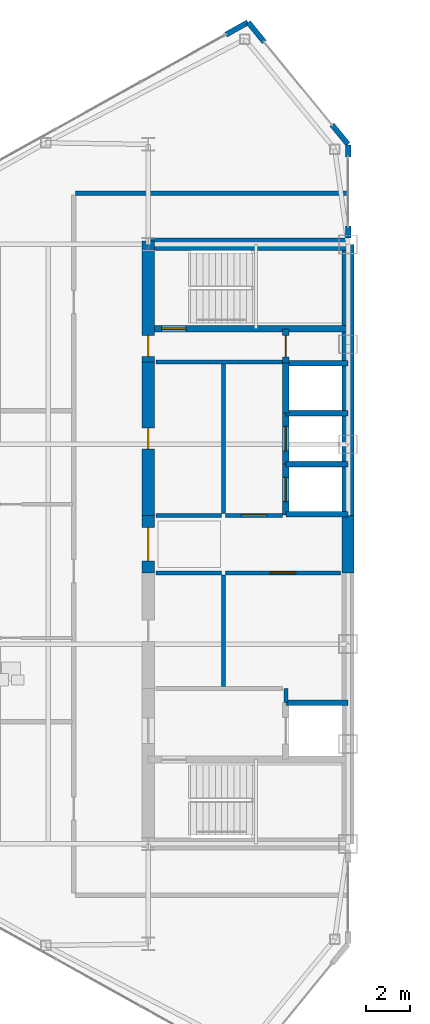
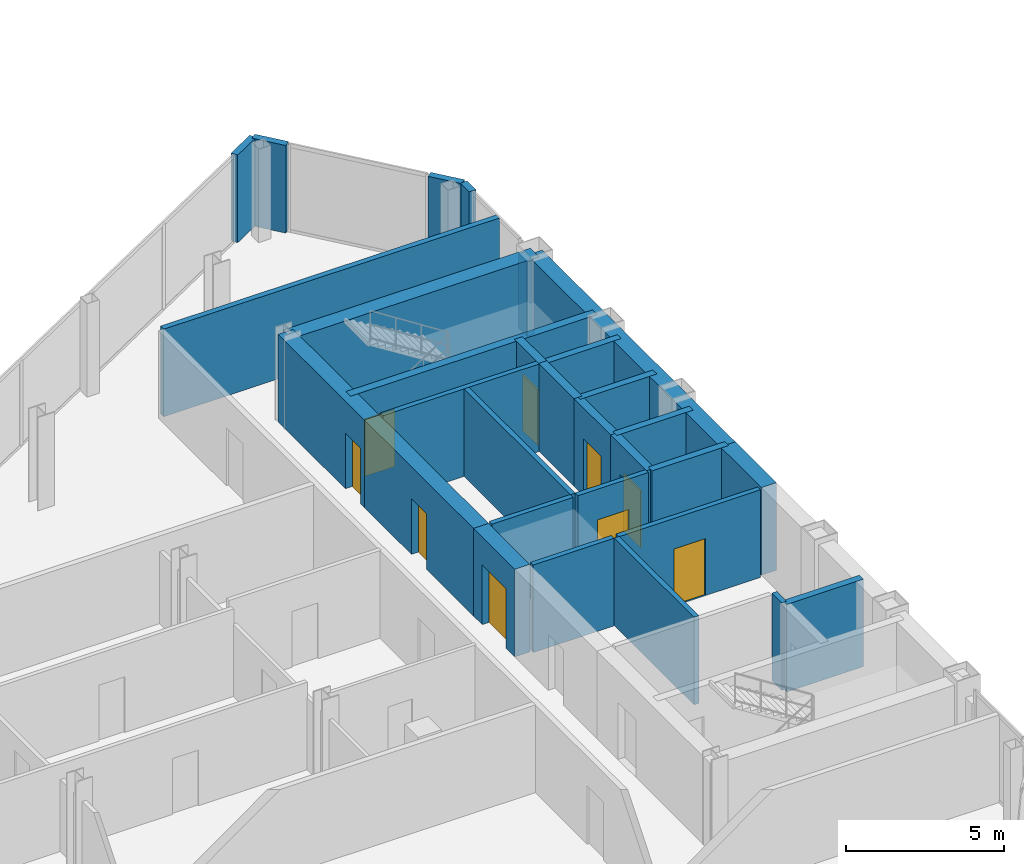
# One storey, part 20 of 26: 30 walls, 9 doors, 9 openings.
"""IFC4 building model written with IfcOpenShell, lengths in metres."""

import ifcopenshell
import ifcopenshell.guid

model = None  # the IFC model being written
_history = None  # IfcOwnerHistory: only IFC2X3 demands one
_inside = {}  # id of a spatial element -> (the spatial element, [elements in it])
_under = {}  # id of a project, library or spatial element -> (it, [spatial elements below it])
_declared = {}  # id of a project -> (the project, [libraries it declares])
_typed = {}  # id of a type object -> (the type object, [elements of that type])
_made_of = {}  # id of a material, layer set ... -> (it, [elements and type objects made of it])


def new_model(schema):
    """Start an empty IFC model of exactly this schema.

    Asked for "IFC4X3", IfcOpenShell would pick the latest addendum, in which some entities
    have other attributes; the version numbers below select the first issue.
    IFC2X3 requires an IfcOwnerHistory on every rooted entity: one is made here for all.
    """
    global model, _history
    if schema == "IFC4X3":
        model = ifcopenshell.file(schema_version=(4, 3, 0, 0))
    else:
        model = ifcopenshell.file(schema=schema)
    _inside.clear()
    _under.clear()
    _declared.clear()
    _typed.clear()
    _made_of.clear()
    _history = None
    if model.schema == "IFC2X3":
        org = make("IfcOrganization", Name="unknown")
        user = make(
            "IfcPersonAndOrganization",
            ThePerson=make("IfcPerson", FamilyName="unknown"),
            TheOrganization=org,
        )
        app = make(
            "IfcApplication",
            ApplicationDeveloper=org,
            Version="unknown",
            ApplicationFullName="unknown",
            ApplicationIdentifier="unknown",
        )
        _history = make(
            "IfcOwnerHistory",
            OwningUser=user,
            OwningApplication=app,
            ChangeAction="ADDED",
            CreationDate=0,
        )
    return model


def make(cls, **values):
    """One entity of the class cls with the attributes given. An attribute that is None is left unset."""
    return model.create_entity(
        cls, **{name: value for name, value in values.items() if value is not None}
    )


def rooted(cls, **values):
    """An entity with a GlobalId (a new one), such as an element, a storey or a relation."""
    return make(cls, GlobalId=ifcopenshell.guid.new(), OwnerHistory=_history, **values)


def si_unit(unit_type, name, prefix=None):
    """IfcSIUnit, for example si_unit("LENGTHUNIT", "METRE", prefix="MILLI")."""
    return make("IfcSIUnit", UnitType=unit_type, Prefix=prefix, Name=name)


def assignment(units):
    """IfcUnitAssignment: the units of a project."""
    return None if units is None else make("IfcUnitAssignment", Units=units)


def point(xyz):
    """IfcCartesianPoint."""
    return None if xyz is None else make("IfcCartesianPoint", Coordinates=xyz)


def direction(xyz):
    """IfcDirection."""
    return None if xyz is None else make("IfcDirection", DirectionRatios=xyz)


def frame(location, z_axis=None, x_axis=None):
    """IfcAxis2Placement3D, a coordinate frame: its origin and axes. An axis left out is left unset."""
    return make(
        "IfcAxis2Placement3D",
        Location=point(location),
        Axis=direction(z_axis),
        RefDirection=direction(x_axis),
    )


def frame_2d(location, x_axis=None):
    """IfcAxis2Placement2D, a coordinate frame in the plane: its origin and x axis."""
    return make(
        "IfcAxis2Placement2D", Location=point(location), RefDirection=direction(x_axis)
    )


def origin():
    """The frame at (0, 0, 0) with its axes left unset."""
    return frame((0.0, 0.0, 0.0))


def place(relative_to, where):
    """IfcLocalPlacement: puts the frame where relative to a parent placement (None: the world)."""
    return make(
        "IfcLocalPlacement", PlacementRelTo=relative_to, RelativePlacement=where
    )


def context(
    kind, dimensions, precision=None, world=None, true_north=None, identifier=None
):
    """IfcGeometricRepresentationContext, for example the 3D "Model" context."""
    return make(
        "IfcGeometricRepresentationContext",
        ContextIdentifier=identifier,
        ContextType=kind,
        CoordinateSpaceDimension=dimensions,
        Precision=precision,
        WorldCoordinateSystem=world,
        TrueNorth=true_north,
    )


def subcontext(parent, identifier, kind, view, scale=None):
    """IfcGeometricRepresentationSubContext, for example "Body" below "Model"."""
    return make(
        "IfcGeometricRepresentationSubContext",
        ContextIdentifier=identifier,
        ContextType=kind,
        ParentContext=parent,
        TargetScale=scale,
        TargetView=view,
    )


def project(units=None, contexts=None):
    """IfcProject with its units and contexts."""
    return rooted(
        "IfcProject",
        Name="project",
        RepresentationContexts=contexts,
        UnitsInContext=assignment(units),
    )


def spatial(cls, under=None, at=None, **own):
    """A site, building, storey or space (cls), placed at a placement, below another one or the project."""
    s = rooted(cls, ObjectPlacement=at, **own)
    if under is not None:
        _under.setdefault(under.id(), (under, []))[1].append(s)
    return s


def profile(cls, at=None, kind="AREA", **sizes):
    """A parametric profile (cls). Its sizes go by their IFC names, for example OverallWidth=200.0."""
    return make(cls, ProfileType=kind, Position=at, **sizes)


def rectangle(**sizes):
    """IfcRectangleProfileDef."""
    return profile("IfcRectangleProfileDef", **sizes)


def extrude(swept, where, along, depth):
    """IfcExtrudedAreaSolid: the profile swept, set in the frame where, extruded along a direction by depth."""
    return make(
        "IfcExtrudedAreaSolid",
        SweptArea=swept,
        Position=where,
        ExtrudedDirection=direction(along),
        Depth=depth,
    )


def shape(context_of_items, identifier, shape_type, items):
    """IfcShapeRepresentation: the items that make up one representation, for example the "Body"."""
    return make(
        "IfcShapeRepresentation",
        ContextOfItems=context_of_items,
        RepresentationIdentifier=identifier,
        RepresentationType=shape_type,
        Items=items,
    )


def source(mapping_origin, context_of_items, identifier, shape_type, items):
    """IfcRepresentationMap: a shape defined once, which mapped items show again and again."""
    return make(
        "IfcRepresentationMap",
        MappingOrigin=mapping_origin,
        MappedRepresentation=shape(context_of_items, identifier, shape_type, items),
    )


def transform(
    local_origin,
    x_axis=None,
    y_axis=None,
    z_axis=None,
    scale=None,
    scale2=None,
    scale3=None,
    uniform=True,
):
    """IfcCartesianTransformationOperator3D, or its non-uniform kind. x_axis, y_axis, z_axis: its Axis1, 2, 3."""
    if uniform:
        return make(
            "IfcCartesianTransformationOperator3D",
            Axis1=direction(x_axis),
            Axis2=direction(y_axis),
            LocalOrigin=point(local_origin),
            Scale=scale,
            Axis3=direction(z_axis),
        )
    return make(
        "IfcCartesianTransformationOperator3DnonUniform",
        Axis1=direction(x_axis),
        Axis2=direction(y_axis),
        LocalOrigin=point(local_origin),
        Scale=scale,
        Axis3=direction(z_axis),
        Scale2=scale2,
        Scale3=scale3,
    )


def mapped(mapping_source, mapping_target):
    """IfcMappedItem: shows the shape of a source again, moved by a transform."""
    return make(
        "IfcMappedItem", MappingSource=mapping_source, MappingTarget=mapping_target
    )


def material(Name=None, Category=None):
    """IfcMaterial."""
    return make("IfcMaterial", Name=Name, Category=Category)


def layer(
    of_material, thickness, ventilated=None, Name=None, Category=None, Priority=None
):
    """IfcMaterialLayer: one layer of a wall or slab, of a material (None: an air gap)."""
    return make(
        "IfcMaterialLayer",
        Material=of_material,
        LayerThickness=thickness,
        IsVentilated=ventilated,
        Name=Name,
        Category=Category,
        Priority=Priority,
    )


def layer_set(layers, Name=None):
    """IfcMaterialLayerSet."""
    return make("IfcMaterialLayerSet", MaterialLayers=layers, LayerSetName=Name)


def made_of(thing, what):
    """Note that an element or type object is made of a material, layer set ...; save() writes the relation."""
    if what is not None:
        _made_of.setdefault(what.id(), (what, []))[1].append(thing)
    return thing


def type_object(cls, material=None, **own):
    """A type object (cls), such as IfcWallType, which elements share."""
    return made_of(rooted(cls, **own), material)


def type_shapes(of_type, sources):
    """Give a type object the sources (RepresentationMaps) that its elements show as mapped items."""
    of_type.RepresentationMaps = sources


def element(
    cls,
    number,
    at=None,
    inside=None,
    cuts=None,
    type_object=None,
    material=None,
    context=None,
    identifier="Body",
    shape_type=None,
    held_by="IfcProductDefinitionShape",
    body=None,
    shapes=None,
    **own,
):
    """One element of the class cls, such as IfcWall. Its Tag is "e" and its number.

    at: its placement. inside: the storey or other place that contains it. cuts: it is an
    opening in that element (IfcRelVoidsElement). A single representation is given by context,
    identifier, shape_type and body (its items); several are given by shapes. held_by: the class
    of the entity that holds the representations. save() writes the other relations.
    """
    e = rooted(cls, Tag="e%d" % number, ObjectPlacement=at, **own)
    if body is not None:
        shapes = [shape(context, identifier, shape_type, body)]
    if shapes is not None:
        e.Representation = make(held_by, Representations=shapes)
    if inside is not None:
        _inside.setdefault(inside.id(), (inside, []))[1].append(e)
    if cuts is not None:
        rooted(
            "IfcRelVoidsElement", RelatingBuildingElement=cuts, RelatedOpeningElement=e
        )
    if type_object is not None:
        _typed.setdefault(type_object.id(), (type_object, []))[1].append(e)
    return made_of(e, material)


def fill(opening, filler):
    """IfcRelFillsElement: the door or window that sits in an opening."""
    return rooted(
        "IfcRelFillsElement",
        RelatingOpeningElement=opening,
        RelatedBuildingElement=filler,
    )


def aggregate(whole, parts):
    """IfcRelAggregates: a whole, such as a stair, and the parts it consists of."""
    return rooted("IfcRelAggregates", RelatingObject=whole, RelatedObjects=parts)


def save(model, path):
    """Write the relations noted so far, then the file.

    IfcRelAggregates (storeys below a building ...), IfcRelContainedInSpatialStructure (elements
    in a storey), IfcRelDefinesByType, IfcRelAssociatesMaterial and IfcRelDeclares: one each for
    every whole, place, type object, material and project.
    """
    for whole, parts in _under.values():
        aggregate(whole, parts)
    for where, things in _inside.values():
        rooted(
            "IfcRelContainedInSpatialStructure",
            RelatedElements=things,
            RelatingStructure=where,
        )
    for kind, things in _typed.values():
        rooted("IfcRelDefinesByType", RelatedObjects=things, RelatingType=kind)
    for what, things in _made_of.values():
        rooted("IfcRelAssociatesMaterial", RelatedObjects=things, RelatingMaterial=what)
    for by, libraries in _declared.values():
        rooted("IfcRelDeclares", RelatingContext=by, RelatedDefinitions=libraries)
    model.write(path)


model = new_model("IFC4")

# Units and contexts
model_context = context("Model", 3, precision=1e-05, world=origin(), true_north=direction((0.0, 1.0)))
body_context = subcontext(model_context, "Body", "Model", "MODEL_VIEW")
ifc_project = project(units=[si_unit("LENGTHUNIT", "METRE"), si_unit("AREAUNIT", "SQUARE_METRE"), si_unit("VOLUMEUNIT", "CUBIC_METRE"), si_unit("PLANEANGLEUNIT", "RADIAN"), si_unit("MASSUNIT", "GRAM", prefix="KILO")], contexts=[model_context])

# Site, building, storey
site_placement = place(None, origin())
site = spatial("IfcSite", under=ifc_project, at=site_placement, CompositionType="ELEMENT")
building_placement = place(site_placement, origin())
building = spatial("IfcBuilding", under=site, at=building_placement, Name="Seokmaru Belvedere", CompositionType="ELEMENT")
storey_placement = place(building_placement, frame((0.0, 0.0, 174.300048828125)))
storey = spatial("IfcBuildingStorey", under=building, at=storey_placement, Name="L46", CompositionType="ELEMENT", Elevation=174.300048828125)

# Walls
ifc_material_1 = material(Name="Fire-Rated Gypsum Shaftwall")
ifc_layer_1 = layer(ifc_material_1, 0.179931640625)
ifc_layer_set_1 = layer_set([ifc_layer_1], Name="Fire-Rated Gypsum Shaftwall")
wall_type_1 = type_object("IfcWallType", Name="Core Service Fire Partition 180", PredefinedType="PARTITIONING", material=ifc_layer_set_1)
wall_1_placement = place(storey_placement, frame((-30.300048828125, -7.1201171875, 0.0), z_axis=(0.0, 0.0, 1.0), x_axis=(0.0, 1.0, 0.0)))
element("IfcWall", 1, at=wall_1_placement, inside=storey, type_object=wall_type_1, Name="L46 West Firefighting Lobby East Closure Wall", PredefinedType="PARTITIONING", context=body_context, shape_type="SweptSolid", body=[
    extrude(rectangle(XDim=0.6201171875, YDim=0.179931640625, at=frame_2d((0.31005859375, 0.0))), origin(), (0.0, 0.0, 1.0), 3.3798828125),
])
wall_2_placement = place(storey_placement, frame((-36.14990234375, 8.199951171875, 0.0), z_axis=(0.0, 0.0, 1.0), x_axis=(1.0, 0.0, 0.0)))
element("IfcWall", 2, at=wall_2_placement, inside=storey, type_object=wall_type_1, Name="L46 West Smokeproof Vestibule Partition", PredefinedType="PARTITIONING", context=body_context, shape_type="SweptSolid", body=[
    extrude(rectangle(XDim=5.699951171875, YDim=0.179931640625, at=frame_2d((2.85009765625, 0.0))), origin(), (0.0, 0.0, 1.0), 3.3798828125),
])
wall_3_placement = place(storey_placement, frame((-33.10009765625, -6.419921875, 0.0), z_axis=(0.0, 0.0, 1.0), x_axis=(0.0, 1.0, 0.0)))
element("IfcWall", 3, at=wall_3_placement, inside=storey, type_object=wall_type_1, Name="L46 West South Core Service Back Wall", PredefinedType="PARTITIONING", context=body_context, shape_type="SweptSolid", body=[
    extrude(rectangle(XDim=5.0400390625, YDim=0.179931640625, at=frame_2d((2.52001953125, 0.0))), origin(), (0.0, 0.0, 1.0), 3.3798828125),
])
wall_4_placement = place(storey_placement, frame((-33.10009765625, 1.3798828125, 0.0), z_axis=(0.0, 0.0, 1.0), x_axis=(0.0, 1.0, 0.0)))
element("IfcWall", 4, at=wall_4_placement, inside=storey, type_object=wall_type_1, Name="L46 West North Core Service Back Wall", PredefinedType="PARTITIONING", context=body_context, shape_type="SweptSolid", body=[
    extrude(rectangle(XDim=6.740234375, YDim=0.179931640625, at=frame_2d((3.3701171875, 0.0))), origin(), (0.0, 0.0, 1.0), 3.3798828125),
])

# Wall, opening, door
wall_5_placement = place(storey_placement, frame((-33.02001953125, -1.300048828125, 0.0), z_axis=(0.0, 0.0, 1.0), x_axis=(1.0, 0.0, 0.0)))
wall_5 = element("IfcWall", 5, at=wall_5_placement, inside=storey, type_object=wall_type_1, Name="L46 West South Lift Lobby Foyer Wall", PredefinedType="PARTITIONING", context=body_context, shape_type="SweptSolid", body=[
    extrude(rectangle(XDim=5.169921875, YDim=0.179931640625, at=frame_2d((2.5849609375, 0.0))), origin(), (0.0, 0.0, 1.0), 3.3798828125),
])
opening_1_placement = place(wall_5_placement, frame((2.010009765625, 0.0, 0.0)))
opening_1 = element("IfcOpeningElement", 6, at=opening_1_placement, cuts=wall_5, Name="Opening D02", PredefinedType="OPENING", context=body_context, shape_type="SweptSolid", body=[
    extrude(rectangle(XDim=1.14990234375, YDim=2.199951171875, at=frame_2d((0.574951171875, 1.10009765625))), frame((0.0, 0.10009765625, 0.0), z_axis=(0.0, -1.0, 0.0), x_axis=(1.0, 0.0, 0.0)), (0.0, 0.0, 1.0), 0.199951171875),
])
ifc_material_2 = material(Name="Fire-Rated Steel Leaf", Category="steel")
door_type_1 = type_object("IfcDoorType", Name="Lobby and Vestibule Fire Door 1150x2200", OperationType="NOTDEFINED", PredefinedType="DOOR", material=ifc_material_2)
shared_shape_1 = source(origin(), body_context, "Body", "SweptSolid", [
    extrude(rectangle(XDim=1.14990234375, YDim=2.199951171875, at=frame_2d((0.574951171875, 1.10009765625))), frame((0.0, 0.02490234375, 0.0), z_axis=(0.0, -1.0, 0.0), x_axis=(1.0, 0.0, 0.0)), (0.0, 0.0, 1.0), 0.050048828125),
])
type_shapes(door_type_1, [shared_shape_1])
door_1_placement = place(opening_1_placement, origin())
door_1 = element("IfcDoor", 7, at=door_1_placement, inside=storey, type_object=door_type_1, Name="L46 West South Core Foyer Door", OperationType="SINGLE_SWING_LEFT", OverallHeight=2.199951171875, OverallWidth=1.14990234375, PredefinedType="DOOR", context=body_context, shape_type="MappedRepresentation", body=[
    mapped(shared_shape_1, transform((0.0, 0.0, 0.0), scale=1.0)),
])
fill(opening_1, door_1)

wall_6_placement = place(storey_placement, frame((-33.02001953125, 1.300048828125, 0.0), z_axis=(0.0, 0.0, 1.0), x_axis=(1.0, 0.0, 0.0)))
wall_6 = element("IfcWall", 8, at=wall_6_placement, inside=storey, type_object=wall_type_1, Name="L46 West North Lift Lobby Foyer Wall", PredefinedType="PARTITIONING", context=body_context, shape_type="SweptSolid", body=[
    extrude(rectangle(XDim=2.570068359375, YDim=0.179931640625, at=frame_2d((1.28515625, 0.0))), origin(), (0.0, 0.0, 1.0), 3.3798828125),
])
opening_2_placement = place(wall_6_placement, frame((0.7099609375, 0.0, 0.0)))
opening_2 = element("IfcOpeningElement", 9, at=opening_2_placement, cuts=wall_6, Name="Opening D02", PredefinedType="OPENING", context=body_context, shape_type="SweptSolid", body=[
    extrude(rectangle(XDim=1.14990234375, YDim=2.199951171875, at=frame_2d((0.574951171875, 1.10009765625))), frame((0.0, 0.10009765625, 0.0), z_axis=(0.0, -1.0, 0.0), x_axis=(1.0, 0.0, 0.0)), (0.0, 0.0, 1.0), 0.199951171875),
])
door_2_placement = place(opening_2_placement, origin())
door_2 = element("IfcDoor", 10, at=door_2_placement, inside=storey, type_object=door_type_1, Name="L46 West North Lift Lobby Door", OperationType="SINGLE_SWING_RIGHT", OverallHeight=2.199951171875, OverallWidth=1.14990234375, PredefinedType="DOOR", context=body_context, shape_type="MappedRepresentation", body=[
    mapped(shared_shape_1, transform((0.0, 0.0, 0.0), scale=1.0)),
])
fill(opening_2, door_2)

# Walls
for number, where, z_axis, x_axis, name in (
    (11, (-36.14990234375, -1.300048828125, 0.0), (0.0, 0.0, 1.0), (1.0, 0.0, 0.0), "L46 West Foyer Side Wall S"),
    (12, (-36.14990234375, 1.300048828125, 0.0), (0.0, 0.0, 1.0), (1.0, 0.0, 0.0), "L46 West Foyer Side Wall N"),
):
    element("IfcWall", number, at=place(storey_placement, frame(where, z_axis=z_axis, x_axis=x_axis)), inside=storey, type_object=wall_type_1, Name=name, PredefinedType="PARTITIONING", context=body_context, shape_type="SweptSolid", body=[
        extrude(rectangle(XDim=2.949951171875, YDim=0.179931640625, at=frame_2d((1.47509765625, 0.0))), origin(), (0.0, 0.0, 1.0), 3.3798828125),
    ])
ifc_material_3 = material(Name="Concrete C50 (50 MPa)", Category="concrete")
ifc_layer_2 = layer(ifc_material_3, 0.25)
ifc_layer_set_2 = layer_set([ifc_layer_2], Name="Concrete C50 (50 MPa)")
wall_type_2 = type_object("IfcWallType", Name="Hoistway Transverse Concrete Divider Wall 250", PredefinedType="SHEAR", material=ifc_layer_set_2)
for number, where, z_axis, x_axis, name in (
    (13, (-30.300048828125, -7.14990234375, 0.0), (0.0, 0.0, 1.0), (1.0, 0.0, 0.0), "L46 West Hoistway Divider Core Wall 1"),
    (14, (-30.300048828125, 1.35009765625, 0.0), (0.0, 0.0, 1.0), (1.0, 0.0, 0.0), "L46 West Hoistway Divider Core Wall 2"),
    (15, (-30.300048828125, 3.60009765625, 0.0), (0.0, 0.0, 1.0), (1.0, 0.0, 0.0), "L46 West Hoistway Divider Core Wall 3"),
    (16, (-30.300048828125, 5.89990234375, 0.0), (0.0, 0.0, 1.0), (1.0, 0.0, 0.0), "L46 West Hoistway Divider Core Wall 4"),
    (17, (-30.300048828125, 8.14990234375, 0.0), (0.0, 0.0, 1.0), (1.0, 0.0, 0.0), "L46 West Hoistway Divider Core Wall 5"),
):
    element("IfcWall", number, at=place(storey_placement, frame(where, z_axis=z_axis, x_axis=x_axis)), inside=storey, type_object=wall_type_2, Name=name, PredefinedType="SHEAR", context=body_context, shape_type="SweptSolid", body=[
        extrude(rectangle(XDim=2.800048828125, YDim=0.25, at=frame_2d((1.39990234375, 0.0))), origin(), (0.0, 0.0, 1.0), 3.3798828125),
    ])
ifc_layer_3 = layer(ifc_material_1, 0.199951171875)
ifc_layer_set_3 = layer_set([ifc_layer_3], Name="Fire-Rated Gypsum Shaftwall")
wall_type_3 = type_object("IfcWallType", Name="Inter-Tenancy Fire Compartment Partition 200", PredefinedType="PARTITIONING", material=ifc_layer_set_3)
wall_7_placement = place(storey_placement, frame((-39.764892578125, 15.800048828125, 0.0), z_axis=(0.0, 0.0, 1.0), x_axis=(1.0, 0.0, 0.0)))
element("IfcWall", 18, at=wall_7_placement, inside=storey, type_object=wall_type_3, Name="L46 Interior Partition 019", PredefinedType="PARTITIONING", context=body_context, shape_type="SweptSolid", body=[
    extrude(rectangle(XDim=12.264892578125, YDim=0.199951171875, at=frame_2d((6.13232421875, 0.0))), origin(), (0.0, 0.0, 1.0), 3.3798828125),
])

# Wall, opening, door
ifc_layer_4 = layer(ifc_material_3, 0.300048828125)
ifc_layer_set_4 = layer_set([ifc_layer_4], Name="Concrete C50 (50 MPa)")
wall_type_4 = type_object("IfcWallType", Name="Internal Core Stair and Hoistway Wall 300", PredefinedType="SHEAR", material=ifc_layer_set_4)
wall_8_placement = place(storey_placement, frame((-36.5, 9.699951171875, 0.0), z_axis=(0.0, 0.0, 1.0), x_axis=(1.0, 0.0, 0.0)))
wall_8 = element("IfcWall", 19, at=wall_8_placement, inside=storey, type_object=wall_type_4, Name="L46 West Stair ST-2 Enclosure Wall", PredefinedType="SHEAR", context=body_context, shape_type="SweptSolid", body=[
    extrude(rectangle(XDim=9.0, YDim=0.300048828125, at=frame_2d((4.5, 0.0))), origin(), (0.0, 0.0, 1.0), 3.3798828125),
])
opening_3_placement = place(wall_8_placement, frame((0.60009765625, 0.0, 0.0)))
opening_3 = element("IfcOpeningElement", 20, at=opening_3_placement, cuts=wall_8, Name="Opening D01", PredefinedType="OPENING", context=body_context, shape_type="SweptSolid", body=[
    extrude(rectangle(XDim=1.10009765625, YDim=2.199951171875, at=frame_2d((0.550048828125, 1.10009765625))), frame((0.0, 0.16015625, 0.0), z_axis=(0.0, -1.0, 0.0), x_axis=(1.0, 0.0, 0.0)), (0.0, 0.0, 1.0), 0.320068359375),
])
door_type_2 = type_object("IfcDoorType", Name="Special Escape Stair Smokeproof Fire Door 1100x2200", OperationType="NOTDEFINED", PredefinedType="DOOR", material=ifc_material_2)
shared_shape_2 = source(origin(), body_context, "Body", "SweptSolid", [
    extrude(rectangle(XDim=1.10009765625, YDim=2.199951171875, at=frame_2d((0.550048828125, 1.10009765625))), frame((0.0, 0.02490234375, 0.0), z_axis=(0.0, -1.0, 0.0), x_axis=(1.0, 0.0, 0.0)), (0.0, 0.0, 1.0), 0.050048828125),
])
type_shapes(door_type_2, [shared_shape_2])
door_3_placement = place(opening_3_placement, origin())
door_3 = element("IfcDoor", 21, at=door_3_placement, inside=storey, type_object=door_type_2, Name="L46 West Special Escape Stair ST-2 Door", OperationType="SINGLE_SWING_RIGHT", OverallHeight=2.199951171875, OverallWidth=1.10009765625, PredefinedType="DOOR", context=body_context, shape_type="MappedRepresentation", body=[
    mapped(shared_shape_2, transform((0.0, 0.0, 0.0), scale=1.0)),
])
fill(opening_3, door_3)

wall_9_placement = place(storey_placement, frame((-30.300048828125, 1.320068359375, 0.0), z_axis=(0.0, 0.0, 1.0), x_axis=(0.0, 1.0, 0.0)))
wall_9 = element("IfcWall", 22, at=wall_9_placement, inside=storey, type_object=wall_type_4, Name="L46 West North Hoistway Wall PH1", PredefinedType="SHEAR", context=body_context, shape_type="SweptSolid", body=[
    extrude(rectangle(XDim=2.280029296875, YDim=0.300048828125, at=frame_2d((1.14013671875, 0.0))), origin(), (0.0, 0.0, 1.0), 3.3798828125),
])
opening_4_placement = place(wall_9_placement, frame((0.590087890625, 0.0, 0.0)))
opening_4 = element("IfcOpeningElement", 23, at=opening_4_placement, cuts=wall_9, Name="Opening LD1", PredefinedType="OPENING", context=body_context, shape_type="SweptSolid", body=[
    extrude(rectangle(XDim=1.10009765625, YDim=2.199951171875, at=frame_2d((0.550048828125, 1.10009765625))), frame((0.0, 0.16015625, 0.0), z_axis=(0.0, -1.0, 0.0), x_axis=(1.0, 0.0, 0.0)), (0.0, 0.0, 1.0), 0.320068359375),
])
ifc_material_4 = material(Name="Stainless Steel 316", Category="steel")
door_type_3 = type_object("IfcDoorType", Name="Passenger Lift Sliding Landing Door 1100x2200", OperationType="DOUBLE_DOOR_SLIDING", PredefinedType="DOOR", material=ifc_material_4)
shared_shape_3 = source(origin(), body_context, "Body", "SweptSolid", [
    extrude(rectangle(XDim=1.10009765625, YDim=2.199951171875, at=frame_2d((0.550048828125, 1.10009765625))), frame((0.0, 0.02490234375, 0.0), z_axis=(0.0, -1.0, 0.0), x_axis=(1.0, 0.0, 0.0)), (0.0, 0.0, 1.0), 0.050048828125),
])
type_shapes(door_type_3, [shared_shape_3])
door_4_placement = place(opening_4_placement, origin())
door_4 = element("IfcDoor", 24, at=door_4_placement, inside=storey, type_object=door_type_3, Name="L46 West High-Rise Lift PH-1 Landing Door", OperationType="DOUBLE_DOOR_SLIDING", OverallHeight=2.199951171875, OverallWidth=1.10009765625, PredefinedType="DOOR", context=body_context, shape_type="MappedRepresentation", body=[
    mapped(shared_shape_3, transform((0.0, 0.0, 0.0), scale=1.0)),
])
fill(opening_4, door_4)

wall_10_placement = place(storey_placement, frame((-30.300048828125, 3.60009765625, 0.0), z_axis=(0.0, 0.0, 1.0), x_axis=(0.0, 1.0, 0.0)))
wall_10 = element("IfcWall", 25, at=wall_10_placement, inside=storey, type_object=wall_type_4, Name="L46 West North Hoistway Wall PH2", PredefinedType="SHEAR", context=body_context, shape_type="SweptSolid", body=[
    extrude(rectangle(XDim=2.2998046875, YDim=0.300048828125, at=frame_2d((1.14990234375, 0.0))), origin(), (0.0, 0.0, 1.0), 3.3798828125),
])
opening_5_placement = place(wall_10_placement, frame((0.60009765625, 0.0, 0.0)))
opening_5 = element("IfcOpeningElement", 26, at=opening_5_placement, cuts=wall_10, Name="Opening LD1", PredefinedType="OPENING", context=body_context, shape_type="SweptSolid", body=[
    extrude(rectangle(XDim=1.10009765625, YDim=2.199951171875, at=frame_2d((0.550048828125, 1.10009765625))), frame((0.0, 0.16015625, 0.0), z_axis=(0.0, -1.0, 0.0), x_axis=(1.0, 0.0, 0.0)), (0.0, 0.0, 1.0), 0.320068359375),
])
door_5_placement = place(opening_5_placement, origin())
door_5 = element("IfcDoor", 27, at=door_5_placement, inside=storey, type_object=door_type_3, Name="L46 West High-Rise Lift PH-2 Landing Door", OperationType="DOUBLE_DOOR_SLIDING", OverallHeight=2.199951171875, OverallWidth=1.10009765625, PredefinedType="DOOR", context=body_context, shape_type="MappedRepresentation", body=[
    mapped(shared_shape_3, transform((0.0, 0.0, 0.0), scale=1.0)),
])
fill(opening_5, door_5)

# Wall
wall_11_placement = place(storey_placement, frame((-30.300048828125, 5.89990234375, 0.0), z_axis=(0.0, 0.0, 1.0), x_axis=(0.0, 1.0, 0.0)))
element("IfcWall", 28, at=wall_11_placement, inside=storey, type_object=wall_type_4, Name="L46 West North Hoistway Wall OBS", PredefinedType="SHEAR", context=body_context, shape_type="SweptSolid", body=[
    extrude(rectangle(XDim=2.25, YDim=0.300048828125, at=frame_2d((1.125, 0.0))), origin(), (0.0, 0.0, 1.0), 3.3798828125),
])

# Wall, opening, door
wall_12_placement = place(storey_placement, frame((-30.300048828125, 8.14990234375, 0.0), z_axis=(0.0, 0.0, 1.0), x_axis=(0.0, 1.0, 0.0)))
wall_12 = element("IfcWall", 29, at=wall_12_placement, inside=storey, type_object=wall_type_4, Name="L46 West Electrical Riser Front Wall", PredefinedType="SHEAR", context=body_context, shape_type="SweptSolid", body=[
    extrude(rectangle(XDim=1.530029296875, YDim=0.300048828125, at=frame_2d((0.76513671875, 0.0))), origin(), (0.0, 0.0, 1.0), 3.3798828125),
])
opening_6_placement = place(wall_12_placement, frame((0.284912109375, 0.0, 0.0)))
opening_6 = element("IfcOpeningElement", 30, at=opening_6_placement, cuts=wall_12, Name="Opening D04", PredefinedType="OPENING", context=body_context, shape_type="SweptSolid", body=[
    extrude(rectangle(XDim=0.949951171875, YDim=2.14990234375, at=frame_2d((0.47509765625, 1.074951171875))), frame((0.0, 0.16015625, 0.0), z_axis=(0.0, -1.0, 0.0), x_axis=(1.0, 0.0, 0.0)), (0.0, 0.0, 1.0), 0.320068359375),
])
door_type_4 = type_object("IfcDoorType", Name="Core Service Room Fire Door 950x2150", OperationType="NOTDEFINED", PredefinedType="DOOR", material=ifc_material_2)
shared_shape_4 = source(origin(), body_context, "Body", "SweptSolid", [
    extrude(rectangle(XDim=0.949951171875, YDim=2.14990234375, at=frame_2d((0.47509765625, 1.074951171875))), frame((0.0, 0.02490234375, 0.0), z_axis=(0.0, -1.0, 0.0), x_axis=(1.0, 0.0, 0.0)), (0.0, 0.0, 1.0), 0.050048828125),
])
type_shapes(door_type_4, [shared_shape_4])
door_6_placement = place(opening_6_placement, origin())
door_6 = element("IfcDoor", 31, at=door_6_placement, inside=storey, type_object=door_type_4, Name="L46 West Electrical Riser Access Door", OperationType="SINGLE_SWING_LEFT", OverallHeight=2.14990234375, OverallWidth=0.949951171875, PredefinedType="DOOR", context=body_context, shape_type="MappedRepresentation", body=[
    mapped(shared_shape_4, transform((0.0, 0.0, 0.0), scale=1.0)),
])
fill(opening_6, door_6)

# Walls
ifc_layer_5 = layer(ifc_material_3, 0.550048828125)
ifc_layer_set_5 = layer_set([ifc_layer_5], Name="Concrete C50 (50 MPa)")
wall_type_5 = type_object("IfcWallType", Name="Mid-High Reinforced Concrete Core Wall 550", PredefinedType="SHEAR", material=ifc_layer_set_5)
wall_13_placement = place(storey_placement, frame((-27.5, 1.300048828125, 0.0), z_axis=(0.0, 0.0, 1.0), x_axis=(0.0, 1.0, 0.0)))
element("IfcWall", 32, at=wall_13_placement, inside=storey, type_object=wall_type_5, Name="L46 West Portal Spine Core Wall North", PredefinedType="SHEAR", context=body_context, shape_type="SweptSolid", body=[
    extrude(rectangle(XDim=12.199951171875, YDim=0.550048828125, at=frame_2d((6.10009765625, 0.0))), origin(), (0.0, 0.0, 1.0), 3.3798828125),
])
wall_14_placement = place(storey_placement, frame((-27.5, -1.300048828125, 0.0), z_axis=(0.0, 0.0, 1.0), x_axis=(0.0, 1.0, 0.0)))
element("IfcWall", 33, at=wall_14_placement, inside=storey, type_object=wall_type_5, Name="L46 West Portal Spine Core Wall Center", PredefinedType="SHEAR", context=body_context, shape_type="SweptSolid", body=[
    extrude(rectangle(XDim=2.60009765625, YDim=0.550048828125, at=frame_2d((1.300048828125, 0.0))), origin(), (0.0, 0.0, 1.0), 3.3798828125),
])
wall_15_placement = place(storey_placement, frame((-36.5, 13.5, 0.0), z_axis=(0.0, 0.0, 1.0), x_axis=(1.0, 0.0, 0.0)))
element("IfcWall", 34, at=wall_15_placement, inside=storey, type_object=wall_type_5, Name="L46 West North Core Wall", PredefinedType="SHEAR", context=body_context, shape_type="SweptSolid", body=[
    extrude(rectangle(XDim=9.0, YDim=0.550048828125, at=frame_2d((4.5, 0.0))), origin(), (0.0, 0.0, 1.0), 3.3798828125),
])

# Wall, opening, door
wall_16_placement = place(storey_placement, frame((-36.5, -1.300048828125, 0.0), z_axis=(0.0, 0.0, 1.0), x_axis=(0.0, 1.0, 0.0)))
wall_16 = element("IfcWall", 35, at=wall_16_placement, inside=storey, type_object=wall_type_5, Name="L46 West West Core Wall FOY", PredefinedType="SHEAR", context=body_context, shape_type="SweptSolid", body=[
    extrude(rectangle(XDim=2.60009765625, YDim=0.550048828125, at=frame_2d((1.300048828125, 0.0))), origin(), (0.0, 0.0, 1.0), 3.3798828125),
])
opening_7_placement = place(wall_16_placement, frame((0.550048828125, 0.0, 0.0)))
opening_7 = element("IfcOpeningElement", 36, at=opening_7_placement, cuts=wall_16, Name="Opening D08", PredefinedType="OPENING", context=body_context, shape_type="SweptSolid", body=[
    extrude(rectangle(XDim=1.5, YDim=2.300048828125, at=frame_2d((0.75, 1.14990234375))), frame((0.0, 0.28515625, 0.0), z_axis=(0.0, -1.0, 0.0), x_axis=(1.0, 0.0, 0.0)), (0.0, 0.0, 1.0), 0.570068359375),
])
door_type_5 = type_object("IfcDoorType", Name="Cross-Corridor Compartment Double Fire Door 1500x2300", OperationType="DOUBLE_SWING_LEFT", PredefinedType="DOOR", material=ifc_material_2)
shared_shape_5 = source(origin(), body_context, "Body", "SweptSolid", [
    extrude(rectangle(XDim=1.5, YDim=2.300048828125, at=frame_2d((0.75, 1.14990234375))), frame((0.0, 0.02490234375, 0.0), z_axis=(0.0, -1.0, 0.0), x_axis=(1.0, 0.0, 0.0)), (0.0, 0.0, 1.0), 0.050048828125),
])
type_shapes(door_type_5, [shared_shape_5])
door_7_placement = place(opening_7_placement, origin())
door_7 = element("IfcDoor", 37, at=door_7_placement, inside=storey, type_object=door_type_5, Name="L46 West Core Foyer Compartment Door", OperationType="DOUBLE_SWING_LEFT", OverallHeight=2.300048828125, OverallWidth=1.5, PredefinedType="DOOR", context=body_context, shape_type="MappedRepresentation", body=[
    mapped(shared_shape_5, transform((0.0, 0.0, 0.0), scale=1.0)),
])
fill(opening_7, door_7)

wall_17_placement = place(storey_placement, frame((-36.5, 8.199951171875, 0.0), z_axis=(0.0, 0.0, 1.0), x_axis=(0.0, 1.0, 0.0)))
wall_17 = element("IfcWall", 38, at=wall_17_placement, inside=storey, type_object=wall_type_5, Name="L46 West West Core Wall VST", PredefinedType="SHEAR", context=body_context, shape_type="SweptSolid", body=[
    extrude(rectangle(XDim=5.449951171875, YDim=0.550048828125, at=frame_2d((2.72509765625, 0.0))), origin(), (0.0, 0.0, 1.0), 3.3798828125),
])
opening_8_placement = place(wall_17_placement, frame((0.2451171875, 0.0, 0.0)))
opening_8 = element("IfcOpeningElement", 39, at=opening_8_placement, cuts=wall_17, Name="Opening D04", PredefinedType="OPENING", context=body_context, shape_type="SweptSolid", body=[
    extrude(rectangle(XDim=0.949951171875, YDim=2.14990234375, at=frame_2d((0.47509765625, 1.074951171875))), frame((0.0, 0.28515625, 0.0), z_axis=(0.0, -1.0, 0.0), x_axis=(1.0, 0.0, 0.0)), (0.0, 0.0, 1.0), 0.570068359375),
])
door_8_placement = place(opening_8_placement, frame((0.949951171875, 0.0, 0.0), z_axis=(0.0, 0.0, 1.0), x_axis=(-1.0, 0.0, 0.0)))
door_8 = element("IfcDoor", 40, at=door_8_placement, inside=storey, type_object=door_type_4, Name="L46 West Smokeproof Vestibule Door", OperationType="SINGLE_SWING_RIGHT", OverallHeight=2.14990234375, OverallWidth=0.949951171875, PredefinedType="DOOR", context=body_context, shape_type="MappedRepresentation", body=[
    mapped(shared_shape_4, transform((0.0, 0.0, 0.0), scale=1.0)),
])
fill(opening_8, door_8)

wall_18_placement = place(storey_placement, frame((-36.5, 1.300048828125, 0.0), z_axis=(0.0, 0.0, 1.0), x_axis=(0.0, 1.0, 0.0)))
wall_18 = element("IfcWall", 41, at=wall_18_placement, inside=storey, type_object=wall_type_5, Name="L46 West West Core Wall CS2", PredefinedType="SHEAR", context=body_context, shape_type="SweptSolid", body=[
    extrude(rectangle(XDim=6.89990234375, YDim=0.550048828125, at=frame_2d((3.449951171875, 0.0))), origin(), (0.0, 0.0, 1.0), 3.3798828125),
])
opening_9_placement = place(wall_18_placement, frame((2.97509765625, 0.0, 0.0)))
opening_9 = element("IfcOpeningElement", 42, at=opening_9_placement, cuts=wall_18, Name="Opening D04", PredefinedType="OPENING", context=body_context, shape_type="SweptSolid", body=[
    extrude(rectangle(XDim=0.949951171875, YDim=2.14990234375, at=frame_2d((0.47509765625, 1.074951171875))), frame((0.0, 0.28515625, 0.0), z_axis=(0.0, -1.0, 0.0), x_axis=(1.0, 0.0, 0.0)), (0.0, 0.0, 1.0), 0.570068359375),
])
door_9_placement = place(opening_9_placement, origin())
door_9 = element("IfcDoor", 43, at=door_9_placement, inside=storey, type_object=door_type_4, Name="L46 West Core Service Room Door 2", OperationType="SINGLE_SWING_RIGHT", OverallHeight=2.14990234375, OverallWidth=0.949951171875, PredefinedType="DOOR", context=body_context, shape_type="MappedRepresentation", body=[
    mapped(shared_shape_4, transform((0.0, 0.0, 0.0), scale=1.0)),
])
fill(opening_9, door_9)

# Walls
ifc_material_5 = material(Name="Anodised Bronze Aluminium", Category="aluminium")
ifc_layer_6 = layer(ifc_material_5, 0.239990234375)
ifc_layer_set_6 = layer_set([ifc_layer_6], Name="Anodised Bronze Aluminium")
wall_type_6 = type_object("IfcWallType", Name="Tower Corner Spandrel Closure Wall 240", PredefinedType="SOLIDWALL", material=ifc_layer_set_6)
wall_19_placement = place(storey_placement, frame((-27.5, 13.780029296875, 0.0), z_axis=(0.0, 0.0, 1.0), x_axis=(0.0, 1.0, 0.0)))
element("IfcWall", 44, at=wall_19_placement, inside=storey, type_object=wall_type_6, Name="L46 W Spine Closure Pier 2A", PredefinedType="SOLIDWALL", context=body_context, shape_type="SweptSolid", body=[
    extrude(rectangle(XDim=0.550048828125, YDim=0.239990234375, at=frame_2d((0.27490234375, 0.0))), origin(), (0.0, 0.0, 1.0), 2.8798828125),
])
wall_20_placement = place(storey_placement, frame((-27.5, 17.429931640625, 0.0), z_axis=(0.0, 0.0, 1.0), x_axis=(0.0, 1.0, 0.0)))
element("IfcWall", 45, at=wall_20_placement, inside=storey, type_object=wall_type_6, Name="L46 W Spine Closure Pier 2B", PredefinedType="SOLIDWALL", context=body_context, shape_type="SweptSolid", body=[
    extrude(rectangle(XDim=0.550048828125, YDim=0.239990234375, at=frame_2d((0.27490234375, 0.0))), origin(), (0.0, 0.0, 1.0), 3.3798828125),
])
for number, where, z_axis, x_axis, name in (
    (46, (-27.50634765625, 18.0078125, 0.0), (0.0, 0.0, 1.0), (-0.633249451965, 0.77394775766, 0.0), "L46 W Corner Closure Pier 2A"),
    (47, (-31.271728515625, 22.60986328125, 0.0), (0.0, 0.0, 1.0), (-0.633249451965, 0.77394775766, 0.0), "L46 W Corner Closure Pier 2B"),
):
    element("IfcWall", number, at=place(storey_placement, frame(where, z_axis=z_axis, x_axis=x_axis)), inside=storey, type_object=wall_type_6, Name=name, PredefinedType="SOLIDWALL", context=body_context, shape_type="SweptSolid", body=[
        extrude(rectangle(XDim=1.14013671875, YDim=0.239990234375, at=frame_2d((0.570068359375, 0.0))), origin(), (0.0, 0.0, 1.0), 3.3798828125),
    ])
wall_21_placement = place(storey_placement, frame((-32.0087890625, 23.4951171875, 0.0), z_axis=(0.0, 0.0, 1.0), x_axis=(-0.87385402111, -0.486188389196, 0.0)))
element("IfcWall", 48, at=wall_21_placement, inside=storey, type_object=wall_type_6, Name="L46 W Corner Closure Pier 3A", PredefinedType="SOLIDWALL", context=body_context, shape_type="SweptSolid", body=[
    extrude(rectangle(XDim=1.139892578125, YDim=0.239990234375, at=frame_2d((0.56982421875, 0.0))), origin(), (0.0, 0.0, 1.0), 3.3798828125),
])

save(model, "model.ifc")
